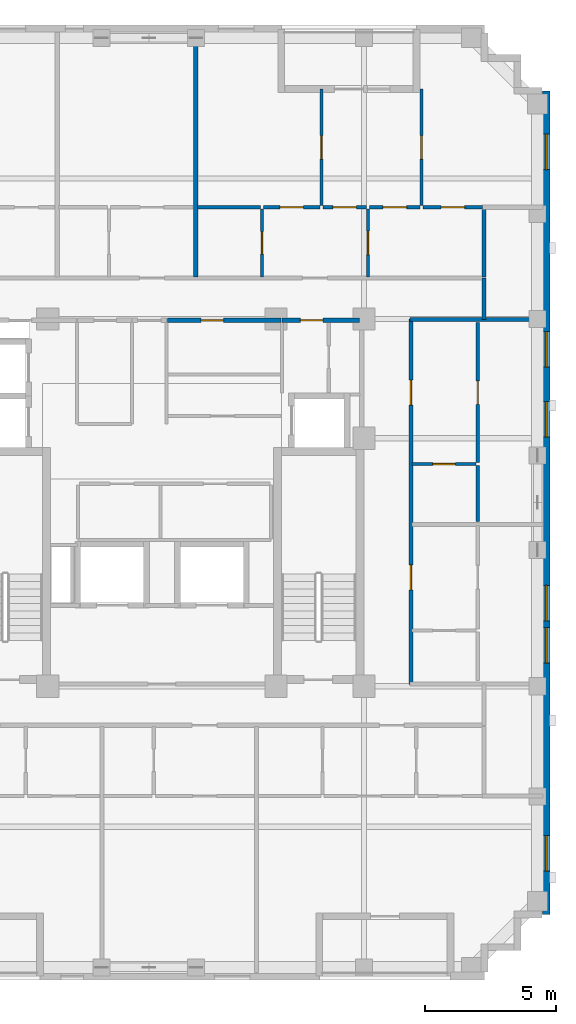
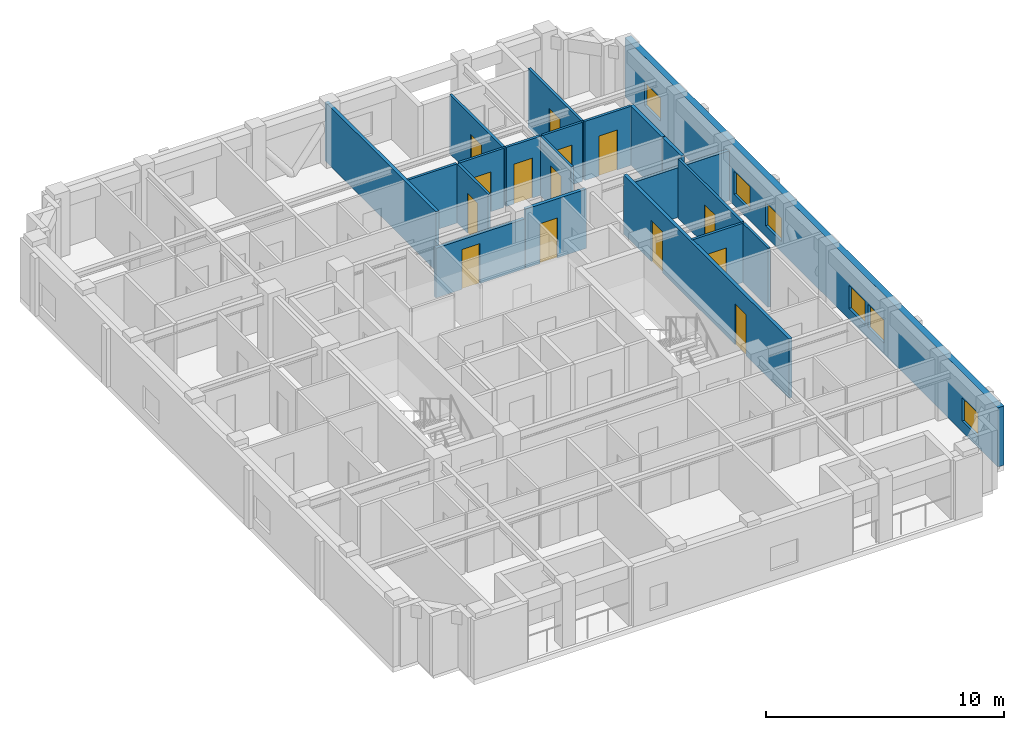
# One storey, part 6 of 11: 20 walls, 14 doors, 6 windows, 20 openings.
"""IFC4 building model written with IfcOpenShell, lengths in metres."""

from ifc_helpers import new_model, si_unit, derived_unit, direction, frame, frame_2d, origin, place, context, subcontext, project, spatial, rectangle, extrude, material, layer, layer_set, type_object, element, fill, save


model = new_model("IFC4")

# Units and contexts
model_context = context("Model", 3, precision=1e-05, world=origin(), true_north=direction((0.0, 1.0)))
body_context = subcontext(model_context, "Body", "Model", "MODEL_VIEW")
ifc_project = project(units=[si_unit("LENGTHUNIT", "METRE"), si_unit("AREAUNIT", "SQUARE_METRE"), si_unit("VOLUMEUNIT", "CUBIC_METRE"), si_unit("PLANEANGLEUNIT", "RADIAN"), si_unit("MASSUNIT", "GRAM", prefix="KILO"), derived_unit("THERMALTRANSMITTANCEUNIT", [(si_unit("MASSUNIT", "GRAM", prefix="KILO"), 1), (si_unit("TIMEUNIT", "SECOND"), -3), (si_unit("THERMODYNAMICTEMPERATUREUNIT", "KELVIN"), -1)])], contexts=[model_context])

# Site, building, storey
site_placement = place(None, origin())
site = spatial("IfcSite", under=ifc_project, at=site_placement, CompositionType="ELEMENT")
building_placement = place(site_placement, origin())
building = spatial("IfcBuilding", under=site, at=building_placement, Name="Korrvale Station Residences", CompositionType="ELEMENT")
storey_placement = place(building_placement, frame((0.0, 0.0, 210.699951171875)))
storey = spatial("IfcBuildingStorey", under=building, at=storey_placement, Name="L61", CompositionType="ELEMENT", Elevation=210.699951171875)

# Wall, openings, windows
ifc_material_1 = material(Name="Precast concrete C45/55", Category="concrete")
ifc_layer_1 = layer(ifc_material_1, 0.300048828125, Name="Precast concrete C45/55")
ifc_layer_set_1 = layer_set([ifc_layer_1], Name="Precast concrete C45/55")
wall_type_1 = type_object("IfcWallType", Name="WAL-EXT-PC300", PredefinedType="SOLIDWALL", material=ifc_layer_set_1)
wall_1_placement = place(storey_placement, frame((40.14990234375, 37.699951171875, 0.0), z_axis=(0.0, 0.0, 1.0), x_axis=(0.0, -1.0, 0.0)))
wall_1 = element("IfcWall", 1, at=wall_1_placement, inside=storey, type_object=wall_type_1, Name="L61 East Exterior Precast Wall 1", PredefinedType="SOLIDWALL", context=body_context, shape_type="SweptSolid", body=[
    extrude(rectangle(XDim=31.39990234375, YDim=0.300048828125, at=frame_2d((15.699951171875, 0.0))), origin(), (0.0, 0.0, 1.0), 3.0400390625),
])
opening_1_placement = place(wall_1_placement, frame((28.39599609375, 0.0, 0.550048828125)))
opening_1 = element("IfcOpeningElement", 2, at=opening_1_placement, cuts=wall_1, Name="Opening W-10", PredefinedType="OPENING", context=body_context, shape_type="SweptSolid", body=[
    extrude(rectangle(XDim=1.35009765625, YDim=1.199951171875, at=frame_2d((0.675048828125, 0.60009765625))), frame((0.0, 0.16015625, 0.0), z_axis=(0.0, -1.0, 0.0), x_axis=(1.0, 0.0, 0.0)), (0.0, 0.0, 1.0), 0.320068359375),
])
opening_2_placement = place(wall_1_placement, frame((1.653076171875, 0.0, 0.550048828125)))
opening_2 = element("IfcOpeningElement", 3, at=opening_2_placement, cuts=wall_1, Name="Opening W-10", PredefinedType="OPENING", context=body_context, shape_type="SweptSolid", body=[
    extrude(rectangle(XDim=1.35009765625, YDim=1.199951171875, at=frame_2d((0.675048828125, 0.60009765625))), frame((0.0, 0.16015625, 0.0), z_axis=(0.0, -1.0, 0.0), x_axis=(1.0, 0.0, 0.0)), (0.0, 0.0, 1.0), 0.320068359375),
])
opening_3_placement = place(wall_1_placement, frame((18.85595703125, 0.0, 0.550048828125)))
opening_3 = element("IfcOpeningElement", 4, at=opening_3_placement, cuts=wall_1, Name="Opening W-10", PredefinedType="OPENING", context=body_context, shape_type="SweptSolid", body=[
    extrude(rectangle(XDim=1.35009765625, YDim=1.199951171875, at=frame_2d((0.675048828125, 0.60009765625))), frame((0.0, 0.16015625, 0.0), z_axis=(0.0, -1.0, 0.0), x_axis=(1.0, 0.0, 0.0)), (0.0, 0.0, 1.0), 0.320068359375),
])
opening_4_placement = place(wall_1_placement, frame((20.466064453125, 0.0, 0.550048828125)))
opening_4 = element("IfcOpeningElement", 5, at=opening_4_placement, cuts=wall_1, Name="Opening W-10", PredefinedType="OPENING", context=body_context, shape_type="SweptSolid", body=[
    extrude(rectangle(XDim=1.35009765625, YDim=1.199951171875, at=frame_2d((0.675048828125, 0.60009765625))), frame((0.0, 0.16015625, 0.0), z_axis=(0.0, -1.0, 0.0), x_axis=(1.0, 0.0, 0.0)), (0.0, 0.0, 1.0), 0.320068359375),
])
opening_5_placement = place(wall_1_placement, frame((11.85009765625, 0.0, 0.550048828125)))
opening_5 = element("IfcOpeningElement", 6, at=opening_5_placement, cuts=wall_1, Name="Opening W-10", PredefinedType="OPENING", context=body_context, shape_type="SweptSolid", body=[
    extrude(rectangle(XDim=1.35009765625, YDim=1.199951171875, at=frame_2d((0.675048828125, 0.60009765625))), frame((0.0, 0.16015625, 0.0), z_axis=(0.0, -1.0, 0.0), x_axis=(1.0, 0.0, 0.0)), (0.0, 0.0, 1.0), 0.320068359375),
])
opening_6_placement = place(wall_1_placement, frame((9.18505859375, 0.0, 0.550048828125)))
opening_6 = element("IfcOpeningElement", 7, at=opening_6_placement, cuts=wall_1, Name="Opening W-10", PredefinedType="OPENING", context=body_context, shape_type="SweptSolid", body=[
    extrude(rectangle(XDim=1.35009765625, YDim=1.199951171875, at=frame_2d((0.675048828125, 0.60009765625))), frame((0.0, 0.16015625, 0.0), z_axis=(0.0, -1.0, 0.0), x_axis=(1.0, 0.0, 0.0)), (0.0, 0.0, 1.0), 0.320068359375),
])
ifc_material_2 = material(Name="Thermally broken aluminium frame with triple low-e glazing", Category="aluminium")
window_type = type_object("IfcWindowType", Name="WIN-W10", PartitioningType="SINGLE_PANEL", PredefinedType="WINDOW", material=ifc_material_2)
window_1_placement = place(opening_1_placement, origin())
window_1 = element("IfcWindow", 8, at=window_1_placement, inside=storey, type_object=window_type, Name="L61 Punched Window 03", OverallHeight=1.199951171875, OverallWidth=1.35009765625, PartitioningType="SINGLE_PANEL", PredefinedType="WINDOW", context=body_context, shape_type="SweptSolid", body=[
    extrude(rectangle(XDim=1.35009765625, YDim=1.199951171875, at=frame_2d((0.675048828125, 0.60009765625))), frame((0.0, 0.030029296875, 0.0), z_axis=(0.0, -1.0, 0.0), x_axis=(1.0, 0.0, 0.0)), (0.0, 0.0, 1.0), 0.06005859375),
])
fill(opening_1, window_1)
window_2_placement = place(opening_2_placement, origin())
window_2 = element("IfcWindow", 9, at=window_2_placement, inside=storey, type_object=window_type, Name="L61 Punched Window 10", OverallHeight=1.199951171875, OverallWidth=1.35009765625, PartitioningType="SINGLE_PANEL", PredefinedType="WINDOW", context=body_context, shape_type="SweptSolid", body=[
    extrude(rectangle(XDim=1.35009765625, YDim=1.199951171875, at=frame_2d((0.675048828125, 0.60009765625))), frame((0.0, 0.030029296875, 0.0), z_axis=(0.0, -1.0, 0.0), x_axis=(1.0, 0.0, 0.0)), (0.0, 0.0, 1.0), 0.06005859375),
])
fill(opening_2, window_2)
window_3_placement = place(opening_3_placement, origin())
window_3 = element("IfcWindow", 10, at=window_3_placement, inside=storey, type_object=window_type, Name="L61 Punched Window 13", OverallHeight=1.199951171875, OverallWidth=1.35009765625, PartitioningType="SINGLE_PANEL", PredefinedType="WINDOW", context=body_context, shape_type="SweptSolid", body=[
    extrude(rectangle(XDim=1.35009765625, YDim=1.199951171875, at=frame_2d((0.675048828125, 0.60009765625))), frame((0.0, 0.030029296875, 0.0), z_axis=(0.0, -1.0, 0.0), x_axis=(1.0, 0.0, 0.0)), (0.0, 0.0, 1.0), 0.06005859375),
])
fill(opening_3, window_3)
window_4_placement = place(opening_4_placement, origin())
window_4 = element("IfcWindow", 11, at=window_4_placement, inside=storey, type_object=window_type, Name="L61 Punched Window 14", OverallHeight=1.199951171875, OverallWidth=1.35009765625, PartitioningType="SINGLE_PANEL", PredefinedType="WINDOW", context=body_context, shape_type="SweptSolid", body=[
    extrude(rectangle(XDim=1.35009765625, YDim=1.199951171875, at=frame_2d((0.675048828125, 0.60009765625))), frame((0.0, 0.030029296875, 0.0), z_axis=(0.0, -1.0, 0.0), x_axis=(1.0, 0.0, 0.0)), (0.0, 0.0, 1.0), 0.06005859375),
])
fill(opening_4, window_4)
window_5_placement = place(opening_5_placement, origin())
window_5 = element("IfcWindow", 12, at=window_5_placement, inside=storey, type_object=window_type, Name="L61 Punched Window 15", OverallHeight=1.199951171875, OverallWidth=1.35009765625, PartitioningType="SINGLE_PANEL", PredefinedType="WINDOW", context=body_context, shape_type="SweptSolid", body=[
    extrude(rectangle(XDim=1.35009765625, YDim=1.199951171875, at=frame_2d((0.675048828125, 0.60009765625))), frame((0.0, 0.030029296875, 0.0), z_axis=(0.0, -1.0, 0.0), x_axis=(1.0, 0.0, 0.0)), (0.0, 0.0, 1.0), 0.06005859375),
])
fill(opening_5, window_5)
window_6_placement = place(opening_6_placement, origin())
window_6 = element("IfcWindow", 13, at=window_6_placement, inside=storey, type_object=window_type, Name="L61 Punched Window 16", OverallHeight=1.199951171875, OverallWidth=1.35009765625, PartitioningType="SINGLE_PANEL", PredefinedType="WINDOW", context=body_context, shape_type="SweptSolid", body=[
    extrude(rectangle(XDim=1.35009765625, YDim=1.199951171875, at=frame_2d((0.675048828125, 0.60009765625))), frame((0.0, 0.030029296875, 0.0), z_axis=(0.0, -1.0, 0.0), x_axis=(1.0, 0.0, 0.0)), (0.0, 0.0, 1.0), 0.06005859375),
])
fill(opening_6, window_6)

# Wall, opening, door
ifc_material_3 = material(Name="Acoustic steel-stud gypsum board partition", Category="steel")
ifc_layer_2 = layer(ifc_material_3, 0.1201171875, Name="Acoustic steel-stud gypsum board partition")
ifc_layer_set_2 = layer_set([ifc_layer_2], Name="Acoustic steel-stud gypsum board partition")
wall_type_2 = type_object("IfcWallType", Name="WAL-PART-125", PredefinedType="PARTITIONING", material=ifc_layer_set_2)
wall_2_placement = place(storey_placement, frame((29.31201171875, 30.60009765625, 0.0), z_axis=(0.0, 0.0, 1.0), x_axis=(0.0, 1.0, 0.0)))
wall_2 = element("IfcWall", 14, at=wall_2_placement, inside=storey, type_object=wall_type_2, Name="L61 Suite Partition U06-V01", PredefinedType="PARTITIONING", context=body_context, shape_type="SweptSolid", body=[
    extrude(rectangle(XDim=2.599853515625, YDim=0.1201171875, at=frame_2d((1.2998046875, 0.0))), origin(), (0.0, 0.0, 1.0), 3.0400390625),
])
opening_7_placement = place(wall_2_placement, frame((0.8701171875, 0.0, 0.0)))
opening_7 = element("IfcOpeningElement", 15, at=opening_7_placement, cuts=wall_2, Name="Opening DB-860", PredefinedType="OPENING", context=body_context, shape_type="SweptSolid", body=[
    extrude(rectangle(XDim=0.860107421875, YDim=2.050048828125, at=frame_2d((0.43017578125, 1.02490234375))), frame((0.0, 0.070068359375, 0.0), z_axis=(0.0, -1.0, 0.0), x_axis=(1.0, 0.0, 0.0)), (0.0, 0.0, 1.0), 0.14013671875),
])
ifc_material_4 = material(Name="Moisture-resistant solid-core bathroom door", Category="timber")
door_type_1 = type_object("IfcDoorType", Name="DR-BATH-860", OperationType="NOTDEFINED", PredefinedType="DOOR", material=ifc_material_4)
door_1_placement = place(opening_7_placement, origin())
door_1 = element("IfcDoor", 16, at=door_1_placement, inside=storey, type_object=door_type_1, Name="L61 Apartment 1BR L61-U06 Bathroom Door", OperationType="SINGLE_SWING_LEFT", OverallHeight=2.050048828125, OverallWidth=0.860107421875, PredefinedType="DOOR", context=body_context, shape_type="SweptSolid", body=[
    extrude(rectangle(XDim=0.860107421875, YDim=2.050048828125, at=frame_2d((0.43017578125, 1.02490234375))), frame((0.0, 0.02490234375, 0.0), z_axis=(0.0, -1.0, 0.0), x_axis=(1.0, 0.0, 0.0)), (0.0, 0.0, 1.0), 0.050048828125),
])
fill(opening_7, door_1)

# Wall
wall_3_placement = place(storey_placement, frame((26.85205078125, 33.260009765625, 0.0), z_axis=(0.0, 0.0, 1.0), x_axis=(1.0, 0.0, 0.0)))
element("IfcWall", 17, at=wall_3_placement, inside=storey, type_object=wall_type_2, Name="L61 Suite Partition U06-H03", PredefinedType="PARTITIONING", context=body_context, shape_type="SweptSolid", body=[
    extrude(rectangle(XDim=2.39990234375, YDim=0.1201171875, at=frame_2d((1.199951171875, 0.0))), origin(), (0.0, 0.0, 1.0), 3.0400390625),
])

# Wall, opening, door
wall_4_placement = place(storey_placement, frame((33.35205078125, 30.60009765625, 0.0), z_axis=(0.0, 0.0, 1.0), x_axis=(0.0, 1.0, 0.0)))
wall_4 = element("IfcWall", 18, at=wall_4_placement, inside=storey, type_object=wall_type_2, Name="L61 Suite Partition U06-V12", PredefinedType="PARTITIONING", context=body_context, shape_type="SweptSolid", body=[
    extrude(rectangle(XDim=2.599853515625, YDim=0.1201171875, at=frame_2d((1.2998046875, 0.0))), origin(), (0.0, 0.0, 1.0), 3.0400390625),
])
opening_8_placement = place(wall_4_placement, frame((0.85009765625, 0.0, 0.0)))
opening_8 = element("IfcOpeningElement", 19, at=opening_8_placement, cuts=wall_4, Name="Opening DI-900", PredefinedType="OPENING", context=body_context, shape_type="SweptSolid", body=[
    extrude(rectangle(XDim=0.89990234375, YDim=2.050048828125, at=frame_2d((0.449951171875, 1.02490234375))), frame((0.0, 0.070068359375, 0.0), z_axis=(0.0, -1.0, 0.0), x_axis=(1.0, 0.0, 0.0)), (0.0, 0.0, 1.0), 0.14013671875),
])
ifc_material_5 = material(Name="Painted solid-core timber interior room door", Category="wood")
door_type_2 = type_object("IfcDoorType", Name="DR-INT-900", OperationType="NOTDEFINED", PredefinedType="DOOR", material=ifc_material_5)
door_2_placement = place(opening_8_placement, origin())
door_2 = element("IfcDoor", 20, at=door_2_placement, inside=storey, type_object=door_type_2, Name="L61 Apartment 1BR L61-U06 Kitchen Door", OperationType="SINGLE_SWING_RIGHT", OverallHeight=2.050048828125, OverallWidth=0.89990234375, PredefinedType="DOOR", context=body_context, shape_type="SweptSolid", body=[
    extrude(rectangle(XDim=0.89990234375, YDim=2.050048828125, at=frame_2d((0.449951171875, 1.02490234375))), frame((0.0, 0.02490234375, 0.0), z_axis=(0.0, -1.0, 0.0), x_axis=(1.0, 0.0, 0.0)), (0.0, 0.0, 1.0), 0.050048828125),
])
fill(opening_8, door_2)

wall_5_placement = place(storey_placement, frame((29.3720703125, 33.260009765625, 0.0), z_axis=(0.0, 0.0, 1.0), x_axis=(1.0, 0.0, 0.0)))
wall_5 = element("IfcWall", 21, at=wall_5_placement, inside=storey, type_object=wall_type_2, Name="L61 Suite Partition U06-H13", PredefinedType="PARTITIONING", context=body_context, shape_type="SweptSolid", body=[
    extrude(rectangle(XDim=2.14794921875, YDim=0.1201171875, at=frame_2d((1.073974609375, 0.0))), origin(), (0.0, 0.0, 1.0), 3.0400390625),
])
opening_9_placement = place(wall_5_placement, frame((0.6240234375, 0.0, 0.0)))
opening_9 = element("IfcOpeningElement", 22, at=opening_9_placement, cuts=wall_5, Name="Opening DI-900", PredefinedType="OPENING", context=body_context, shape_type="SweptSolid", body=[
    extrude(rectangle(XDim=0.89990234375, YDim=2.050048828125, at=frame_2d((0.449951171875, 1.02490234375))), frame((0.0, 0.070068359375, 0.0), z_axis=(0.0, -1.0, 0.0), x_axis=(1.0, 0.0, 0.0)), (0.0, 0.0, 1.0), 0.14013671875),
])
door_3_placement = place(opening_9_placement, origin())
door_3 = element("IfcDoor", 23, at=door_3_placement, inside=storey, type_object=door_type_2, Name="L61 Apartment 1BR L61-U06 Kitchen Door", OperationType="SINGLE_SWING_LEFT", OverallHeight=2.050048828125, OverallWidth=0.89990234375, PredefinedType="DOOR", context=body_context, shape_type="SweptSolid", body=[
    extrude(rectangle(XDim=0.89990234375, YDim=2.050048828125, at=frame_2d((0.449951171875, 1.02490234375))), frame((0.0, 0.02490234375, 0.0), z_axis=(0.0, -1.0, 0.0), x_axis=(1.0, 0.0, 0.0)), (0.0, 0.0, 1.0), 0.050048828125),
])
fill(opening_9, door_3)

wall_6_placement = place(storey_placement, frame((31.639892578125, 33.260009765625, 0.0), z_axis=(0.0, 0.0, 1.0), x_axis=(1.0, 0.0, 0.0)))
wall_6 = element("IfcWall", 24, at=wall_6_placement, inside=storey, type_object=wall_type_2, Name="L61 Suite Partition U06-H14", PredefinedType="PARTITIONING", context=body_context, shape_type="SweptSolid", body=[
    extrude(rectangle(XDim=1.652099609375, YDim=0.1201171875, at=frame_2d((0.826171875, 0.0))), origin(), (0.0, 0.0, 1.0), 3.0400390625),
])
opening_10_placement = place(wall_6_placement, frame((0.3759765625, 0.0, 0.0)))
opening_10 = element("IfcOpeningElement", 25, at=opening_10_placement, cuts=wall_6, Name="Opening DI-900", PredefinedType="OPENING", context=body_context, shape_type="SweptSolid", body=[
    extrude(rectangle(XDim=0.89990234375, YDim=2.050048828125, at=frame_2d((0.449951171875, 1.02490234375))), frame((0.0, 0.070068359375, 0.0), z_axis=(0.0, -1.0, 0.0), x_axis=(1.0, 0.0, 0.0)), (0.0, 0.0, 1.0), 0.14013671875),
])
door_4_placement = place(opening_10_placement, origin())
door_4 = element("IfcDoor", 26, at=door_4_placement, inside=storey, type_object=door_type_2, Name="L61 Apartment 1BR L61-U06 Kitchen Door", OperationType="SINGLE_SWING_RIGHT", OverallHeight=2.050048828125, OverallWidth=0.89990234375, PredefinedType="DOOR", context=body_context, shape_type="SweptSolid", body=[
    extrude(rectangle(XDim=0.89990234375, YDim=2.050048828125, at=frame_2d((0.449951171875, 1.02490234375))), frame((0.0, 0.02490234375, 0.0), z_axis=(0.0, -1.0, 0.0), x_axis=(1.0, 0.0, 0.0)), (0.0, 0.0, 1.0), 0.050048828125),
])
fill(opening_10, door_4)

wall_7_placement = place(storey_placement, frame((33.412109375, 33.260009765625, 0.0), z_axis=(0.0, 0.0, 1.0), x_axis=(1.0, 0.0, 0.0)))
wall_7 = element("IfcWall", 27, at=wall_7_placement, inside=storey, type_object=wall_type_2, Name="L61 Suite Partition U06-H24", PredefinedType="PARTITIONING", context=body_context, shape_type="SweptSolid", body=[
    extrude(rectangle(XDim=1.927978515625, YDim=0.1201171875, at=frame_2d((0.9638671875, 0.0))), origin(), (0.0, 0.0, 1.0), 3.0400390625),
])
opening_11_placement = place(wall_7_placement, frame((0.513916015625, 0.0, 0.0)))
opening_11 = element("IfcOpeningElement", 28, at=opening_11_placement, cuts=wall_7, Name="Opening DI-900", PredefinedType="OPENING", context=body_context, shape_type="SweptSolid", body=[
    extrude(rectangle(XDim=0.89990234375, YDim=2.050048828125, at=frame_2d((0.449951171875, 1.02490234375))), frame((0.0, 0.070068359375, 0.0), z_axis=(0.0, -1.0, 0.0), x_axis=(1.0, 0.0, 0.0)), (0.0, 0.0, 1.0), 0.14013671875),
])
door_5_placement = place(opening_11_placement, origin())
door_5 = element("IfcDoor", 29, at=door_5_placement, inside=storey, type_object=door_type_2, Name="L61 Apartment 1BR L61-U06 Home Study Room Door", OperationType="SINGLE_SWING_LEFT", OverallHeight=2.050048828125, OverallWidth=0.89990234375, PredefinedType="DOOR", context=body_context, shape_type="SweptSolid", body=[
    extrude(rectangle(XDim=0.89990234375, YDim=2.050048828125, at=frame_2d((0.449951171875, 1.02490234375))), frame((0.0, 0.02490234375, 0.0), z_axis=(0.0, -1.0, 0.0), x_axis=(1.0, 0.0, 0.0)), (0.0, 0.0, 1.0), 0.050048828125),
])
fill(opening_11, door_5)

wall_8_placement = place(storey_placement, frame((35.4599609375, 33.260009765625, 0.0), z_axis=(0.0, 0.0, 1.0), x_axis=(1.0, 0.0, 0.0)))
wall_8 = element("IfcWall", 30, at=wall_8_placement, inside=storey, type_object=wall_type_2, Name="L61 Suite Partition U06-H25", PredefinedType="PARTITIONING", context=body_context, shape_type="SweptSolid", body=[
    extrude(rectangle(XDim=2.260009765625, YDim=0.1201171875, at=frame_2d((1.1298828125, 0.0))), origin(), (0.0, 0.0, 1.0), 3.0400390625),
])
opening_12_placement = place(wall_8_placement, frame((0.679931640625, 0.0, 0.0)))
opening_12 = element("IfcOpeningElement", 31, at=opening_12_placement, cuts=wall_8, Name="Opening DI-900", PredefinedType="OPENING", context=body_context, shape_type="SweptSolid", body=[
    extrude(rectangle(XDim=0.89990234375, YDim=2.050048828125, at=frame_2d((0.449951171875, 1.02490234375))), frame((0.0, 0.070068359375, 0.0), z_axis=(0.0, -1.0, 0.0), x_axis=(1.0, 0.0, 0.0)), (0.0, 0.0, 1.0), 0.14013671875),
])
door_6_placement = place(opening_12_placement, origin())
door_6 = element("IfcDoor", 32, at=door_6_placement, inside=storey, type_object=door_type_2, Name="L61 Apartment 1BR L61-U06 Home Study Room Door", OperationType="SINGLE_SWING_RIGHT", OverallHeight=2.050048828125, OverallWidth=0.89990234375, PredefinedType="DOOR", context=body_context, shape_type="SweptSolid", body=[
    extrude(rectangle(XDim=0.89990234375, YDim=2.050048828125, at=frame_2d((0.449951171875, 1.02490234375))), frame((0.0, 0.02490234375, 0.0), z_axis=(0.0, -1.0, 0.0), x_axis=(1.0, 0.0, 0.0)), (0.0, 0.0, 1.0), 0.050048828125),
])
fill(opening_12, door_6)

wall_9_placement = place(storey_placement, frame((31.580078125, 33.320068359375, 0.0), z_axis=(0.0, 0.0, 1.0), x_axis=(0.0, 1.0, 0.0)))
wall_9 = element("IfcWall", 33, at=wall_9_placement, inside=storey, type_object=wall_type_2, Name="L61 Suite Partition U06-V34", PredefinedType="PARTITIONING", context=body_context, shape_type="SweptSolid", body=[
    extrude(rectangle(XDim=4.449951171875, YDim=0.1201171875, at=frame_2d((2.22509765625, 0.0))), origin(), (0.0, 0.0, 1.0), 3.0400390625),
])
opening_13_placement = place(wall_9_placement, frame((1.77490234375, 0.0, 0.0)))
opening_13 = element("IfcOpeningElement", 34, at=opening_13_placement, cuts=wall_9, Name="Opening DI-900", PredefinedType="OPENING", context=body_context, shape_type="SweptSolid", body=[
    extrude(rectangle(XDim=0.89990234375, YDim=2.050048828125, at=frame_2d((0.449951171875, 1.02490234375))), frame((0.0, 0.070068359375, 0.0), z_axis=(0.0, -1.0, 0.0), x_axis=(1.0, 0.0, 0.0)), (0.0, 0.0, 1.0), 0.14013671875),
])
door_7_placement = place(opening_13_placement, origin())
door_7 = element("IfcDoor", 35, at=door_7_placement, inside=storey, type_object=door_type_2, Name="L61 Apartment 1BR L61-U06 Living and Dining Room Door", OperationType="SINGLE_SWING_LEFT", OverallHeight=2.050048828125, OverallWidth=0.89990234375, PredefinedType="DOOR", context=body_context, shape_type="SweptSolid", body=[
    extrude(rectangle(XDim=0.89990234375, YDim=2.050048828125, at=frame_2d((0.449951171875, 1.02490234375))), frame((0.0, 0.02490234375, 0.0), z_axis=(0.0, -1.0, 0.0), x_axis=(1.0, 0.0, 0.0)), (0.0, 0.0, 1.0), 0.050048828125),
])
fill(opening_13, door_7)

wall_10_placement = place(storey_placement, frame((35.39990234375, 33.320068359375, 0.0), z_axis=(0.0, 0.0, 1.0), x_axis=(0.0, 1.0, 0.0)))
wall_10 = element("IfcWall", 36, at=wall_10_placement, inside=storey, type_object=wall_type_2, Name="L61 Suite Partition U06-V45", PredefinedType="PARTITIONING", context=body_context, shape_type="SweptSolid", body=[
    extrude(rectangle(XDim=4.449951171875, YDim=0.1201171875, at=frame_2d((2.22509765625, 0.0))), origin(), (0.0, 0.0, 1.0), 3.0400390625),
])
opening_14_placement = place(wall_10_placement, frame((1.77490234375, 0.0, 0.0)))
opening_14 = element("IfcOpeningElement", 37, at=opening_14_placement, cuts=wall_10, Name="Opening DI-900", PredefinedType="OPENING", context=body_context, shape_type="SweptSolid", body=[
    extrude(rectangle(XDim=0.89990234375, YDim=2.050048828125, at=frame_2d((0.449951171875, 1.02490234375))), frame((0.0, 0.070068359375, 0.0), z_axis=(0.0, -1.0, 0.0), x_axis=(1.0, 0.0, 0.0)), (0.0, 0.0, 1.0), 0.14013671875),
])
door_8_placement = place(opening_14_placement, origin())
door_8 = element("IfcDoor", 38, at=door_8_placement, inside=storey, type_object=door_type_2, Name="L61 Apartment 1BR L61-U06 Formal Dining Room Door", OperationType="SINGLE_SWING_RIGHT", OverallHeight=2.050048828125, OverallWidth=0.89990234375, PredefinedType="DOOR", context=body_context, shape_type="SweptSolid", body=[
    extrude(rectangle(XDim=0.89990234375, YDim=2.050048828125, at=frame_2d((0.449951171875, 1.02490234375))), frame((0.0, 0.02490234375, 0.0), z_axis=(0.0, -1.0, 0.0), x_axis=(1.0, 0.0, 0.0)), (0.0, 0.0, 1.0), 0.050048828125),
])
fill(opening_14, door_8)

wall_11_placement = place(storey_placement, frame((35.030029296875, 23.467041015625, 0.0), z_axis=(0.0, 0.0, 1.0), x_axis=(1.0, 0.0, 0.0)))
wall_11 = element("IfcWall", 39, at=wall_11_placement, inside=storey, type_object=wall_type_2, Name="L61 Suite Partition U09-H01", PredefinedType="PARTITIONING", context=body_context, shape_type="SweptSolid", body=[
    extrude(rectangle(XDim=2.449951171875, YDim=0.1201171875, at=frame_2d((1.22509765625, 0.0))), origin(), (0.0, 0.0, 1.0), 3.0400390625),
])
opening_15_placement = place(wall_11_placement, frame((0.794921875, 0.0, 0.0)))
opening_15 = element("IfcOpeningElement", 40, at=opening_15_placement, cuts=wall_11, Name="Opening DB-860", PredefinedType="OPENING", context=body_context, shape_type="SweptSolid", body=[
    extrude(rectangle(XDim=0.860107421875, YDim=2.050048828125, at=frame_2d((0.43017578125, 1.02490234375))), frame((0.0, 0.070068359375, 0.0), z_axis=(0.0, -1.0, 0.0), x_axis=(1.0, 0.0, 0.0)), (0.0, 0.0, 1.0), 0.14013671875),
])
door_9_placement = place(opening_15_placement, origin())
door_9 = element("IfcDoor", 41, at=door_9_placement, inside=storey, type_object=door_type_1, Name="L61 Apartment 1BR L61-U09 Bathroom Door", OperationType="SINGLE_SWING_RIGHT", OverallHeight=2.050048828125, OverallWidth=0.860107421875, PredefinedType="DOOR", context=body_context, shape_type="SweptSolid", body=[
    extrude(rectangle(XDim=0.860107421875, YDim=2.050048828125, at=frame_2d((0.43017578125, 1.02490234375))), frame((0.0, 0.02490234375, 0.0), z_axis=(0.0, -1.0, 0.0), x_axis=(1.0, 0.0, 0.0)), (0.0, 0.0, 1.0), 0.050048828125),
])
fill(opening_15, door_9)

# Wall
wall_12_placement = place(storey_placement, frame((37.5400390625, 21.285888671875, 0.0), z_axis=(0.0, 0.0, 1.0), x_axis=(0.0, 1.0, 0.0)))
element("IfcWall", 42, at=wall_12_placement, inside=storey, type_object=wall_type_2, Name="L61 Suite Partition U09-V02", PredefinedType="PARTITIONING", context=body_context, shape_type="SweptSolid", body=[
    extrude(rectangle(XDim=2.12109375, YDim=0.1201171875, at=frame_2d((1.060546875, 0.0))), origin(), (0.0, 0.0, 1.0), 3.0400390625),
])

# Wall, opening, door
wall_13_placement = place(storey_placement, frame((37.5400390625, 23.527099609375, 0.0), z_axis=(0.0, 0.0, 1.0), x_axis=(0.0, 1.0, 0.0)))
wall_13 = element("IfcWall", 43, at=wall_13_placement, inside=storey, type_object=wall_type_2, Name="L61 Suite Partition U09-V12", PredefinedType="PARTITIONING", context=body_context, shape_type="SweptSolid", body=[
    extrude(rectangle(XDim=5.3330078125, YDim=0.1201171875, at=frame_2d((2.66650390625, 0.0))), origin(), (0.0, 0.0, 1.0), 3.0400390625),
])
opening_16_placement = place(wall_13_placement, frame((2.216064453125, 0.0, 0.0)))
opening_16 = element("IfcOpeningElement", 44, at=opening_16_placement, cuts=wall_13, Name="Opening DI-900", PredefinedType="OPENING", context=body_context, shape_type="SweptSolid", body=[
    extrude(rectangle(XDim=0.89990234375, YDim=2.050048828125, at=frame_2d((0.449951171875, 1.02490234375))), frame((0.0, 0.070068359375, 0.0), z_axis=(0.0, -1.0, 0.0), x_axis=(1.0, 0.0, 0.0)), (0.0, 0.0, 1.0), 0.14013671875),
])
door_10_placement = place(opening_16_placement, origin())
door_10 = element("IfcDoor", 45, at=door_10_placement, inside=storey, type_object=door_type_2, Name="L61 Apartment 1BR L61-U09 Kitchen Door", OperationType="SINGLE_SWING_LEFT", OverallHeight=2.050048828125, OverallWidth=0.89990234375, PredefinedType="DOOR", context=body_context, shape_type="SweptSolid", body=[
    extrude(rectangle(XDim=0.89990234375, YDim=2.050048828125, at=frame_2d((0.449951171875, 1.02490234375))), frame((0.0, 0.02490234375, 0.0), z_axis=(0.0, -1.0, 0.0), x_axis=(1.0, 0.0, 0.0)), (0.0, 0.0, 1.0), 0.050048828125),
])
fill(opening_16, door_10)

ifc_material_6 = material(Name="Fire-rated twin-stud gypsum and mineral wool shaftwall assembly", Category="gypsum")
ifc_layer_3 = layer(ifc_material_6, 0.159912109375, Name="Fire-rated twin-stud gypsum and mineral wool shaftwall assembly")
ifc_layer_set_3 = layer_set([ifc_layer_3], Name="Fire-rated twin-stud gypsum and mineral wool shaftwall assembly")
wall_type_3 = type_object("IfcWallType", Name="WAL-PART-200", PredefinedType="PARTITIONING", material=ifc_layer_set_3)
wall_14_placement = place(storey_placement, frame((30.080078125, 28.949951171875, 0.0), z_axis=(0.0, 0.0, 1.0), x_axis=(1.0, 0.0, 0.0)))
wall_14 = element("IfcWall", 46, at=wall_14_placement, inside=storey, type_object=wall_type_3, Name="L61 Core Partition CW-CS-N", PredefinedType="PARTITIONING", context=body_context, shape_type="SweptSolid", body=[
    extrude(rectangle(XDim=2.9599609375, YDim=0.159912109375, at=frame_2d((1.47998046875, 0.0))), origin(), (0.0, 0.0, 1.0), 3.0400390625),
])
opening_17_placement = place(wall_14_placement, frame((0.695068359375, 0.0, 0.0)))
opening_17 = element("IfcOpeningElement", 47, at=opening_17_placement, cuts=wall_14, Name="Opening DB-860", PredefinedType="OPENING", context=body_context, shape_type="SweptSolid", body=[
    extrude(rectangle(XDim=0.860107421875, YDim=2.050048828125, at=frame_2d((0.43017578125, 1.02490234375))), frame((0.0, 0.08984375, 0.0), z_axis=(0.0, -1.0, 0.0), x_axis=(1.0, 0.0, 0.0)), (0.0, 0.0, 1.0), 0.179931640625),
])
door_11_placement = place(opening_17_placement, origin())
door_11 = element("IfcDoor", 48, at=door_11_placement, inside=storey, type_object=door_type_1, Name="L61 Housekeeping Supply Door", OperationType="SINGLE_SWING_RIGHT", OverallHeight=2.050048828125, OverallWidth=0.860107421875, PredefinedType="DOOR", context=body_context, shape_type="SweptSolid", body=[
    extrude(rectangle(XDim=0.860107421875, YDim=2.050048828125, at=frame_2d((0.43017578125, 1.02490234375))), frame((0.0, 0.02490234375, 0.0), z_axis=(0.0, -1.0, 0.0), x_axis=(1.0, 0.0, 0.0)), (0.0, 0.0, 1.0), 0.050048828125),
])
fill(opening_17, door_11)

wall_15_placement = place(storey_placement, frame((25.719970703125, 28.949951171875, 0.0), z_axis=(0.0, 0.0, 1.0), x_axis=(1.0, 0.0, 0.0)))
wall_15 = element("IfcWall", 49, at=wall_15_placement, inside=storey, type_object=wall_type_3, Name="L61 Core Partition CW-FPLE-N", PredefinedType="PARTITIONING", context=body_context, shape_type="SweptSolid", body=[
    extrude(rectangle(XDim=4.320068359375, YDim=0.159912109375, at=frame_2d((2.16015625, 0.0))), origin(), (0.0, 0.0, 1.0), 2.55615234375),
])
opening_18_placement = place(wall_15_placement, frame((1.27001953125, 0.0, 0.0)))
opening_18 = element("IfcOpeningElement", 50, at=opening_18_placement, cuts=wall_15, Name="Opening DB-860", PredefinedType="OPENING", context=body_context, shape_type="SweptSolid", body=[
    extrude(rectangle(XDim=0.860107421875, YDim=2.050048828125, at=frame_2d((0.43017578125, 1.02490234375))), frame((0.0, 0.08984375, 0.0), z_axis=(0.0, -1.0, 0.0), x_axis=(1.0, 0.0, 0.0)), (0.0, 0.0, 1.0), 0.179931640625),
])
door_12_placement = place(opening_18_placement, origin())
door_12 = element("IfcDoor", 51, at=door_12_placement, inside=storey, type_object=door_type_1, Name="L61 Luggage Store Door", OperationType="SINGLE_SWING_LEFT", OverallHeight=2.050048828125, OverallWidth=0.860107421875, PredefinedType="DOOR", context=body_context, shape_type="SweptSolid", body=[
    extrude(rectangle(XDim=0.860107421875, YDim=2.050048828125, at=frame_2d((0.43017578125, 1.02490234375))), frame((0.0, 0.02490234375, 0.0), z_axis=(0.0, -1.0, 0.0), x_axis=(1.0, 0.0, 0.0)), (0.0, 0.0, 1.0), 0.050048828125),
])
fill(opening_18, door_12)

# Walls
wall_16_placement = place(storey_placement, frame((37.780029296875, 28.97998046875, 0.0), z_axis=(0.0, 0.0, 1.0), x_axis=(0.0, 1.0, 0.0)))
element("IfcWall", 52, at=wall_16_placement, inside=storey, type_object=wall_type_3, Name="L61 Corridor North East Cap", PredefinedType="PARTITIONING", context=body_context, shape_type="SweptSolid", body=[
    extrude(rectangle(XDim=1.580078125, YDim=0.159912109375, at=frame_2d((0.7900390625, 0.0))), origin(), (0.0, 0.0, 1.0), 3.0400390625),
])
wall_17_placement = place(storey_placement, frame((34.949951171875, 28.97998046875, 0.0), z_axis=(0.0, 0.0, 1.0), x_axis=(1.0, 0.0, 0.0)))
element("IfcWall", 53, at=wall_17_placement, inside=storey, type_object=wall_type_3, Name="L61 East Wing North Corridor Wall", PredefinedType="PARTITIONING", context=body_context, shape_type="SweptSolid", body=[
    extrude(rectangle(XDim=5.070068359375, YDim=0.159912109375, at=frame_2d((2.53515625, 0.0))), origin(), (0.0, 0.0, 1.0), 2.55615234375),
])
wall_18_placement = place(storey_placement, frame((37.780029296875, 30.60009765625, 0.0), z_axis=(0.0, 0.0, 1.0), x_axis=(0.0, 1.0, 0.0)))
element("IfcWall", 54, at=wall_18_placement, inside=storey, type_object=wall_type_3, Name="L61 Corner Step Cheek U06-R", PredefinedType="PARTITIONING", context=body_context, shape_type="SweptSolid", body=[
    extrude(rectangle(XDim=2.659912109375, YDim=0.159912109375, at=frame_2d((1.330078125, 0.0))), origin(), (0.0, 0.0, 1.0), 3.0400390625),
])
wall_19_placement = place(storey_placement, frame((26.7919921875, 30.60009765625, 0.0), z_axis=(0.0, 0.0, 1.0), x_axis=(0.0, 1.0, 0.0)))
element("IfcWall", 55, at=wall_19_placement, inside=storey, type_object=wall_type_3, Name="L61 Demising Wall U06-W", PredefinedType="PARTITIONING", context=body_context, shape_type="SweptSolid", body=[
    extrude(rectangle(XDim=9.31982421875, YDim=0.159912109375, at=frame_2d((4.659912109375, 0.0))), origin(), (0.0, 0.0, 1.0), 3.0400390625),
])

# Wall, openings, doors
wall_20_placement = place(storey_placement, frame((34.989990234375, 15.070068359375, 0.0), z_axis=(0.0, 0.0, 1.0), x_axis=(0.0, 1.0, 0.0)))
wall_20 = element("IfcWall", 56, at=wall_20_placement, inside=storey, type_object=wall_type_3, Name="L61 Rated Corridor Wall E", PredefinedType="PARTITIONING", context=body_context, shape_type="SweptSolid", body=[
    extrude(rectangle(XDim=13.929931640625, YDim=0.159912109375, at=frame_2d((6.96484375, 0.0))), origin(), (0.0, 0.0, 1.0), 3.0400390625),
])
opening_19_placement = place(wall_20_placement, frame((3.60791015625, 0.0, 0.0)))
opening_19 = element("IfcOpeningElement", 57, at=opening_19_placement, cuts=wall_20, Name="Opening UD-950", PredefinedType="OPENING", context=body_context, shape_type="SweptSolid", body=[
    extrude(rectangle(XDim=0.949951171875, YDim=2.10009765625, at=frame_2d((0.47509765625, 1.050048828125))), frame((0.0, 0.08984375, 0.0), z_axis=(0.0, -1.0, 0.0), x_axis=(1.0, 0.0, 0.0)), (0.0, 0.0, 1.0), 0.179931640625),
])
opening_20_placement = place(wall_20_placement, frame((10.64892578125, 0.0, 0.0)))
opening_20 = element("IfcOpeningElement", 58, at=opening_20_placement, cuts=wall_20, Name="Opening UD-950", PredefinedType="OPENING", context=body_context, shape_type="SweptSolid", body=[
    extrude(rectangle(XDim=0.949951171875, YDim=2.10009765625, at=frame_2d((0.47509765625, 1.050048828125))), frame((0.0, 0.08984375, 0.0), z_axis=(0.0, -1.0, 0.0), x_axis=(1.0, 0.0, 0.0)), (0.0, 0.0, 1.0), 0.179931640625),
])
ifc_material_7 = material(Name="Solid-core acoustic oak apartment entrance door", Category="timber")
door_type_3 = type_object("IfcDoorType", Name="DR-UNIT-950", OperationType="NOTDEFINED", PredefinedType="DOOR", material=ifc_material_7)
door_13_placement = place(opening_19_placement, origin())
door_13 = element("IfcDoor", 59, at=door_13_placement, inside=storey, type_object=door_type_3, Name="L61 Apartment L61-U08 Entrance Door", OperationType="SINGLE_SWING_RIGHT", OverallHeight=2.10009765625, OverallWidth=0.949951171875, PredefinedType="DOOR", context=body_context, shape_type="SweptSolid", body=[
    extrude(rectangle(XDim=0.949951171875, YDim=2.10009765625, at=frame_2d((0.47509765625, 1.050048828125))), frame((0.0, 0.02490234375, 0.0), z_axis=(0.0, -1.0, 0.0), x_axis=(1.0, 0.0, 0.0)), (0.0, 0.0, 1.0), 0.050048828125),
])
fill(opening_19, door_13)
door_14_placement = place(opening_20_placement, origin())
door_14 = element("IfcDoor", 60, at=door_14_placement, inside=storey, type_object=door_type_3, Name="L61 Apartment L61-U09 Entrance Door", OperationType="SINGLE_SWING_LEFT", OverallHeight=2.10009765625, OverallWidth=0.949951171875, PredefinedType="DOOR", context=body_context, shape_type="SweptSolid", body=[
    extrude(rectangle(XDim=0.949951171875, YDim=2.10009765625, at=frame_2d((0.47509765625, 1.050048828125))), frame((0.0, 0.02490234375, 0.0), z_axis=(0.0, -1.0, 0.0), x_axis=(1.0, 0.0, 0.0)), (0.0, 0.0, 1.0), 0.050048828125),
])
fill(opening_20, door_14)

save(model, "model.ifc")
